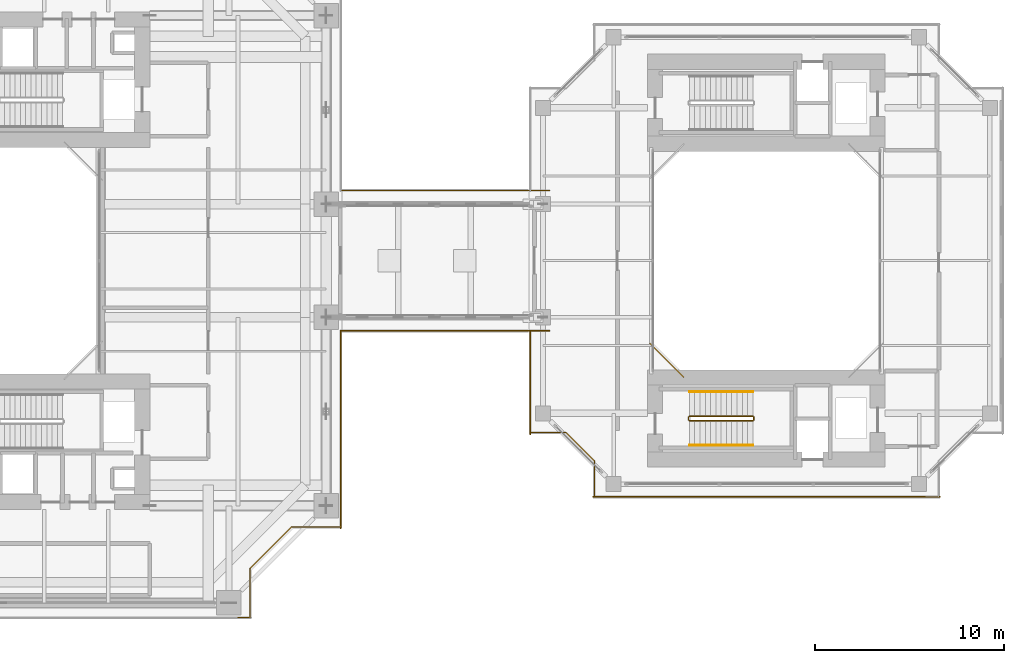
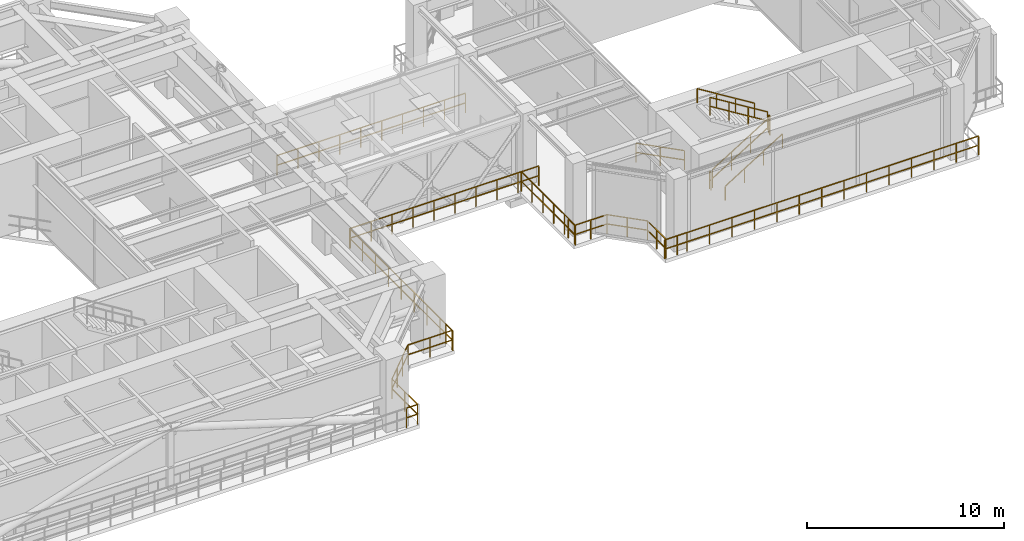
# One storey, part 23 of 25: 14 railings.
"""IFC4 building model written with IfcOpenShell, lengths in metres."""

import ifcopenshell
import ifcopenshell.guid

model = None  # the IFC model being written
_history = None  # IfcOwnerHistory: only IFC2X3 demands one
_inside = {}  # id of a spatial element -> (the spatial element, [elements in it])
_under = {}  # id of a project, library or spatial element -> (it, [spatial elements below it])
_declared = {}  # id of a project -> (the project, [libraries it declares])
_typed = {}  # id of a type object -> (the type object, [elements of that type])
_made_of = {}  # id of a material, layer set ... -> (it, [elements and type objects made of it])


def new_model(schema):
    """Start an empty IFC model of exactly this schema.

    Asked for "IFC4X3", IfcOpenShell would pick the latest addendum, in which some entities
    have other attributes; the version numbers below select the first issue.
    IFC2X3 requires an IfcOwnerHistory on every rooted entity: one is made here for all.
    """
    global model, _history
    if schema == "IFC4X3":
        model = ifcopenshell.file(schema_version=(4, 3, 0, 0))
    else:
        model = ifcopenshell.file(schema=schema)
    _inside.clear()
    _under.clear()
    _declared.clear()
    _typed.clear()
    _made_of.clear()
    _history = None
    if model.schema == "IFC2X3":
        org = make("IfcOrganization", Name="unknown")
        user = make(
            "IfcPersonAndOrganization",
            ThePerson=make("IfcPerson", FamilyName="unknown"),
            TheOrganization=org,
        )
        app = make(
            "IfcApplication",
            ApplicationDeveloper=org,
            Version="unknown",
            ApplicationFullName="unknown",
            ApplicationIdentifier="unknown",
        )
        _history = make(
            "IfcOwnerHistory",
            OwningUser=user,
            OwningApplication=app,
            ChangeAction="ADDED",
            CreationDate=0,
        )
    return model


def make(cls, **values):
    """One entity of the class cls with the attributes given. An attribute that is None is left unset."""
    return model.create_entity(
        cls, **{name: value for name, value in values.items() if value is not None}
    )


def rooted(cls, **values):
    """An entity with a GlobalId (a new one), such as an element, a storey or a relation."""
    return make(cls, GlobalId=ifcopenshell.guid.new(), OwnerHistory=_history, **values)


def si_unit(unit_type, name, prefix=None):
    """IfcSIUnit, for example si_unit("LENGTHUNIT", "METRE", prefix="MILLI")."""
    return make("IfcSIUnit", UnitType=unit_type, Prefix=prefix, Name=name)


def assignment(units):
    """IfcUnitAssignment: the units of a project."""
    return None if units is None else make("IfcUnitAssignment", Units=units)


def point(xyz):
    """IfcCartesianPoint."""
    return None if xyz is None else make("IfcCartesianPoint", Coordinates=xyz)


def direction(xyz):
    """IfcDirection."""
    return None if xyz is None else make("IfcDirection", DirectionRatios=xyz)


def frame(location, z_axis=None, x_axis=None):
    """IfcAxis2Placement3D, a coordinate frame: its origin and axes. An axis left out is left unset."""
    return make(
        "IfcAxis2Placement3D",
        Location=point(location),
        Axis=direction(z_axis),
        RefDirection=direction(x_axis),
    )


def frame_2d(location, x_axis=None):
    """IfcAxis2Placement2D, a coordinate frame in the plane: its origin and x axis."""
    return make(
        "IfcAxis2Placement2D", Location=point(location), RefDirection=direction(x_axis)
    )


def origin():
    """The frame at (0, 0, 0) with its axes left unset."""
    return frame((0.0, 0.0, 0.0))


def origin_2d():
    """The frame at (0, 0) in the plane with its x axis left unset."""
    return frame_2d((0.0, 0.0))


def place(relative_to, where):
    """IfcLocalPlacement: puts the frame where relative to a parent placement (None: the world)."""
    return make(
        "IfcLocalPlacement", PlacementRelTo=relative_to, RelativePlacement=where
    )


def context(
    kind, dimensions, precision=None, world=None, true_north=None, identifier=None
):
    """IfcGeometricRepresentationContext, for example the 3D "Model" context."""
    return make(
        "IfcGeometricRepresentationContext",
        ContextIdentifier=identifier,
        ContextType=kind,
        CoordinateSpaceDimension=dimensions,
        Precision=precision,
        WorldCoordinateSystem=world,
        TrueNorth=true_north,
    )


def subcontext(parent, identifier, kind, view, scale=None):
    """IfcGeometricRepresentationSubContext, for example "Body" below "Model"."""
    return make(
        "IfcGeometricRepresentationSubContext",
        ContextIdentifier=identifier,
        ContextType=kind,
        ParentContext=parent,
        TargetScale=scale,
        TargetView=view,
    )


def project(units=None, contexts=None):
    """IfcProject with its units and contexts."""
    return rooted(
        "IfcProject",
        Name="project",
        RepresentationContexts=contexts,
        UnitsInContext=assignment(units),
    )


def spatial(cls, under=None, at=None, **own):
    """A site, building, storey or space (cls), placed at a placement, below another one or the project."""
    s = rooted(cls, ObjectPlacement=at, **own)
    if under is not None:
        _under.setdefault(under.id(), (under, []))[1].append(s)
    return s


def profile(cls, at=None, kind="AREA", **sizes):
    """A parametric profile (cls). Its sizes go by their IFC names, for example OverallWidth=200.0."""
    return make(cls, ProfileType=kind, Position=at, **sizes)


def rectangle(**sizes):
    """IfcRectangleProfileDef."""
    return profile("IfcRectangleProfileDef", **sizes)


def extrude(swept, where, along, depth):
    """IfcExtrudedAreaSolid: the profile swept, set in the frame where, extruded along a direction by depth."""
    return make(
        "IfcExtrudedAreaSolid",
        SweptArea=swept,
        Position=where,
        ExtrudedDirection=direction(along),
        Depth=depth,
    )


def shape(context_of_items, identifier, shape_type, items):
    """IfcShapeRepresentation: the items that make up one representation, for example the "Body"."""
    return make(
        "IfcShapeRepresentation",
        ContextOfItems=context_of_items,
        RepresentationIdentifier=identifier,
        RepresentationType=shape_type,
        Items=items,
    )


def material(Name=None, Category=None):
    """IfcMaterial."""
    return make("IfcMaterial", Name=Name, Category=Category)


def made_of(thing, what):
    """Note that an element or type object is made of a material, layer set ...; save() writes the relation."""
    if what is not None:
        _made_of.setdefault(what.id(), (what, []))[1].append(thing)
    return thing


def type_object(cls, material=None, **own):
    """A type object (cls), such as IfcWallType, which elements share."""
    return made_of(rooted(cls, **own), material)


def element(
    cls,
    number,
    at=None,
    inside=None,
    cuts=None,
    type_object=None,
    material=None,
    context=None,
    identifier="Body",
    shape_type=None,
    held_by="IfcProductDefinitionShape",
    body=None,
    shapes=None,
    **own,
):
    """One element of the class cls, such as IfcWall. Its Tag is "e" and its number.

    at: its placement. inside: the storey or other place that contains it. cuts: it is an
    opening in that element (IfcRelVoidsElement). A single representation is given by context,
    identifier, shape_type and body (its items); several are given by shapes. held_by: the class
    of the entity that holds the representations. save() writes the other relations.
    """
    e = rooted(cls, Tag="e%d" % number, ObjectPlacement=at, **own)
    if body is not None:
        shapes = [shape(context, identifier, shape_type, body)]
    if shapes is not None:
        e.Representation = make(held_by, Representations=shapes)
    if inside is not None:
        _inside.setdefault(inside.id(), (inside, []))[1].append(e)
    if cuts is not None:
        rooted(
            "IfcRelVoidsElement", RelatingBuildingElement=cuts, RelatedOpeningElement=e
        )
    if type_object is not None:
        _typed.setdefault(type_object.id(), (type_object, []))[1].append(e)
    return made_of(e, material)


def aggregate(whole, parts):
    """IfcRelAggregates: a whole, such as a stair, and the parts it consists of."""
    return rooted("IfcRelAggregates", RelatingObject=whole, RelatedObjects=parts)


def save(model, path):
    """Write the relations noted so far, then the file.

    IfcRelAggregates (storeys below a building ...), IfcRelContainedInSpatialStructure (elements
    in a storey), IfcRelDefinesByType, IfcRelAssociatesMaterial and IfcRelDeclares: one each for
    every whole, place, type object, material and project.
    """
    for whole, parts in _under.values():
        aggregate(whole, parts)
    for where, things in _inside.values():
        rooted(
            "IfcRelContainedInSpatialStructure",
            RelatedElements=things,
            RelatingStructure=where,
        )
    for kind, things in _typed.values():
        rooted("IfcRelDefinesByType", RelatedObjects=things, RelatingType=kind)
    for what, things in _made_of.values():
        rooted("IfcRelAssociatesMaterial", RelatedObjects=things, RelatingMaterial=what)
    for by, libraries in _declared.values():
        rooted("IfcRelDeclares", RelatingContext=by, RelatedDefinitions=libraries)
    model.write(path)


model = new_model("IFC4")

# Units and contexts
model_context = context("Model", 3, precision=1e-05, world=origin(), true_north=direction((0.0, 1.0)))
body_context = subcontext(model_context, "Body", "Model", "MODEL_VIEW")
ifc_project = project(units=[si_unit("LENGTHUNIT", "METRE"), si_unit("AREAUNIT", "SQUARE_METRE"), si_unit("VOLUMEUNIT", "CUBIC_METRE"), si_unit("PLANEANGLEUNIT", "RADIAN"), si_unit("MASSUNIT", "GRAM", prefix="KILO"), si_unit("THERMODYNAMICTEMPERATUREUNIT", "KELVIN"), si_unit("POWERUNIT", "WATT")], contexts=[model_context])

# Site, building, storey
site_placement = place(None, origin())
site = spatial("IfcSite", under=ifc_project, at=site_placement, CompositionType="ELEMENT")
building_placement = place(site_placement, origin())
building = spatial("IfcBuilding", under=site, at=building_placement, Name="Qiaomeng Ring Towers", CompositionType="ELEMENT")
storey_placement = place(building_placement, frame((0.0, 0.0, 92.5)))
storey = spatial("IfcBuildingStorey", under=building, at=storey_placement, Name="L26", CompositionType="ELEMENT", Elevation=92.5)

# Railings
ifc_material_1 = material(Name="Low-E pale-green laminated safety glass", Category="glass")
railing_type_1 = type_object("IfcRailingType", Name="ARC-RL-BAL1", PredefinedType="BALUSTRADE", material=ifc_material_1)
railing_1_placement = place(storey_placement, frame((54.320068359375, 18.6201171875, 0.0)))
element("IfcRailing", 1, at=railing_1_placement, inside=storey, type_object=railing_type_1, Name="L26 Balustrade ARC-BAL-WELL2-L26-4", PredefinedType="BALUSTRADE", context=body_context, shape_type="SweptSolid", body=[
    extrude(rectangle(XDim=0.048095703125, YDim=0.048095703125, at=origin_2d()), frame((0.0, 0.0, 1.17578125), z_axis=(0.707106781187, -0.707106781187, 0.0), x_axis=(0.707106781187, 0.707106781187, 0.0)), (0.0, 0.0, 1.0), 2.545654296875),
    extrude(rectangle(XDim=0.048095703125, YDim=0.048095703125, at=origin_2d()), frame((0.0, 0.0, 0.60009765625), z_axis=(0.707106781187, -0.707106781187, 0.0), x_axis=(0.707106781187, 0.707106781187, 0.0)), (0.0, 0.0, 1.0), 2.545654296875),
    extrude(rectangle(XDim=0.0419921875, YDim=0.0419921875, at=origin_2d()), origin(), (0.0, 0.0, 1.0), 1.15185546875),
    extrude(rectangle(XDim=0.0419921875, YDim=0.0419921875, at=origin_2d()), frame((0.89990234375, -0.89990234375, 0.0)), (0.0, 0.0, 1.0), 1.15185546875),
    extrude(rectangle(XDim=0.0419921875, YDim=0.0419921875, at=origin_2d()), frame((1.800048828125, -1.800048828125, 0.0)), (0.0, 0.0, 1.0), 1.15185546875),
])
railing_2_placement = place(storey_placement, frame((47.97998046875, 14.530029296875, 0.0)))
element("IfcRailing", 2, at=railing_2_placement, inside=storey, type_object=railing_type_1, Name="L26 Balustrade ARC-BAL-NOTCH2-L26-SW", PredefinedType="BALUSTRADE", context=body_context, shape_type="SweptSolid", body=[
    extrude(rectangle(XDim=0.048095703125, YDim=0.048095703125, at=origin_2d()), frame((0.0, 0.0, 1.17578125), z_axis=(0.0, -1.0, 0.0), x_axis=(1.0, 0.0, 0.0)), (0.0, 0.0, 1.0), 0.650146484375),
    extrude(rectangle(XDim=0.048095703125, YDim=0.048095703125, at=origin_2d()), frame((0.0, 0.0, 0.60009765625), z_axis=(0.0, -1.0, 0.0), x_axis=(1.0, 0.0, 0.0)), (0.0, 0.0, 1.0), 0.650146484375),
    extrude(rectangle(XDim=0.048095703125, YDim=0.048095703125, at=origin_2d()), frame((0.0, -0.650146484375, 1.17578125), z_axis=(1.0, 0.0, 0.0), x_axis=(0.0, 1.0, 0.0)), (0.0, 0.0, 1.0), 1.89990234375),
    extrude(rectangle(XDim=0.048095703125, YDim=0.048095703125, at=origin_2d()), frame((0.0, -0.650146484375, 0.60009765625), z_axis=(1.0, 0.0, 0.0), x_axis=(0.0, 1.0, 0.0)), (0.0, 0.0, 1.0), 1.89990234375),
    extrude(rectangle(XDim=0.048095703125, YDim=0.048095703125, at=origin_2d()), frame((1.89990234375, -0.650146484375, 1.17578125), z_axis=(0.707106781187, -0.707106781187, 0.0), x_axis=(0.707106781187, 0.707106781187, 0.0)), (0.0, 0.0, 1.0), 2.121337890625),
    extrude(rectangle(XDim=0.048095703125, YDim=0.048095703125, at=origin_2d()), frame((1.89990234375, -0.650146484375, 0.60009765625), z_axis=(0.707106781187, -0.707106781187, 0.0), x_axis=(0.707106781187, 0.707106781187, 0.0)), (0.0, 0.0, 1.0), 2.121337890625),
    extrude(rectangle(XDim=0.048095703125, YDim=0.048095703125, at=origin_2d()), frame((3.39990234375, -2.150146484375, 1.17578125), z_axis=(0.0, -1.0, 0.0), x_axis=(1.0, 0.0, 0.0)), (0.0, 0.0, 1.0), 1.89990234375),
    extrude(rectangle(XDim=0.048095703125, YDim=0.048095703125, at=origin_2d()), frame((3.39990234375, -2.150146484375, 0.60009765625), z_axis=(0.0, -1.0, 0.0), x_axis=(1.0, 0.0, 0.0)), (0.0, 0.0, 1.0), 1.89990234375),
    extrude(rectangle(XDim=0.048095703125, YDim=0.048095703125, at=origin_2d()), frame((3.39990234375, -4.050048828125, 1.17578125), z_axis=(1.0, 0.0, 0.0), x_axis=(0.0, 1.0, 0.0)), (0.0, 0.0, 1.0), 0.650146484375),
    extrude(rectangle(XDim=0.048095703125, YDim=0.048095703125, at=origin_2d()), frame((3.39990234375, -4.050048828125, 0.60009765625), z_axis=(1.0, 0.0, 0.0), x_axis=(0.0, 1.0, 0.0)), (0.0, 0.0, 1.0), 0.650146484375),
    extrude(rectangle(XDim=0.0419921875, YDim=0.0419921875, at=origin_2d()), origin(), (0.0, 0.0, 1.0), 1.15185546875),
    extrude(rectangle(XDim=0.0419921875, YDim=0.0419921875, at=origin_2d()), frame((0.0, -0.650146484375, 0.0)), (0.0, 0.0, 1.0), 1.15185546875),
    extrude(rectangle(XDim=0.0419921875, YDim=0.0419921875, at=origin_2d()), frame((0.949951171875, -0.650146484375, 0.0)), (0.0, 0.0, 1.0), 1.15185546875),
    extrude(rectangle(XDim=0.0419921875, YDim=0.0419921875, at=origin_2d()), frame((1.89990234375, -0.650146484375, 0.0)), (0.0, 0.0, 1.0), 1.15185546875),
    extrude(rectangle(XDim=0.0419921875, YDim=0.0419921875, at=origin_2d()), frame((2.64990234375, -1.400146484375, 0.0)), (0.0, 0.0, 1.0), 1.15185546875),
    extrude(rectangle(XDim=0.0419921875, YDim=0.0419921875, at=origin_2d()), frame((3.39990234375, -2.150146484375, 0.0)), (0.0, 0.0, 1.0), 1.15185546875),
    extrude(rectangle(XDim=0.0419921875, YDim=0.0419921875, at=origin_2d()), frame((3.39990234375, -3.10009765625, 0.0)), (0.0, 0.0, 1.0), 1.15185546875),
    extrude(rectangle(XDim=0.0419921875, YDim=0.0419921875, at=origin_2d()), frame((3.39990234375, -4.050048828125, 0.0)), (0.0, 0.0, 1.0), 1.15185546875),
    extrude(rectangle(XDim=0.0419921875, YDim=0.0419921875, at=origin_2d()), frame((4.050048828125, -4.050048828125, 0.0)), (0.0, 0.0, 1.0), 1.15185546875),
])
railing_3_placement = place(storey_placement, frame((51.300048828125, 10.47998046875, 0.0)))
element("IfcRailing", 3, at=railing_3_placement, inside=storey, type_object=railing_type_1, Name="L26 Balustrade ARC-BAL-T2S-L26", PredefinedType="BALUSTRADE", context=body_context, shape_type="SweptSolid", body=[
    extrude(rectangle(XDim=0.048095703125, YDim=0.048095703125, at=origin_2d()), frame((0.0, 0.0, 1.17578125), z_axis=(1.0, 0.0, 0.0), x_axis=(0.0, 1.0, 0.0)), (0.0, 0.0, 1.0), 18.39990234375),
    extrude(rectangle(XDim=0.048095703125, YDim=0.048095703125, at=origin_2d()), frame((0.0, 0.0, 0.60009765625), z_axis=(1.0, 0.0, 0.0), x_axis=(0.0, 1.0, 0.0)), (0.0, 0.0, 1.0), 18.39990234375),
    extrude(rectangle(XDim=0.0419921875, YDim=0.0419921875, at=origin_2d()), origin(), (0.0, 0.0, 1.0), 1.15185546875),
    extrude(rectangle(XDim=0.0419921875, YDim=0.0419921875, at=origin_2d()), frame((1.314208984375, 0.0, 0.0)), (0.0, 0.0, 1.0), 1.15185546875),
    extrude(rectangle(XDim=0.0419921875, YDim=0.0419921875, at=origin_2d()), frame((2.628662109375, 0.0, 0.0)), (0.0, 0.0, 1.0), 1.15185546875),
    extrude(rectangle(XDim=0.0419921875, YDim=0.0419921875, at=origin_2d()), frame((3.94287109375, 0.0, 0.0)), (0.0, 0.0, 1.0), 1.15185546875),
    extrude(rectangle(XDim=0.0419921875, YDim=0.0419921875, at=origin_2d()), frame((5.257080078125, 0.0, 0.0)), (0.0, 0.0, 1.0), 1.15185546875),
    extrude(rectangle(XDim=0.0419921875, YDim=0.0419921875, at=origin_2d()), frame((6.5712890625, 0.0, 0.0)), (0.0, 0.0, 1.0), 1.15185546875),
    extrude(rectangle(XDim=0.0419921875, YDim=0.0419921875, at=origin_2d()), frame((7.8857421875, 0.0, 0.0)), (0.0, 0.0, 1.0), 1.15185546875),
    extrude(rectangle(XDim=0.0419921875, YDim=0.0419921875, at=origin_2d()), frame((9.199951171875, 0.0, 0.0)), (0.0, 0.0, 1.0), 1.15185546875),
    extrude(rectangle(XDim=0.0419921875, YDim=0.0419921875, at=origin_2d()), frame((10.51416015625, 0.0, 0.0)), (0.0, 0.0, 1.0), 1.15185546875),
    extrude(rectangle(XDim=0.0419921875, YDim=0.0419921875, at=origin_2d()), frame((11.82861328125, 0.0, 0.0)), (0.0, 0.0, 1.0), 1.15185546875),
    extrude(rectangle(XDim=0.0419921875, YDim=0.0419921875, at=origin_2d()), frame((13.142822265625, 0.0, 0.0)), (0.0, 0.0, 1.0), 1.15185546875),
    extrude(rectangle(XDim=0.0419921875, YDim=0.0419921875, at=origin_2d()), frame((14.45703125, 0.0, 0.0)), (0.0, 0.0, 1.0), 1.15185546875),
    extrude(rectangle(XDim=0.0419921875, YDim=0.0419921875, at=origin_2d()), frame((15.771240234375, 0.0, 0.0)), (0.0, 0.0, 1.0), 1.15185546875),
    extrude(rectangle(XDim=0.0419921875, YDim=0.0419921875, at=origin_2d()), frame((17.085693359375, 0.0, 0.0)), (0.0, 0.0, 1.0), 1.15185546875),
    extrude(rectangle(XDim=0.0419921875, YDim=0.0419921875, at=origin_2d()), frame((18.39990234375, 0.0, 0.0)), (0.0, 0.0, 1.0), 1.15185546875),
])
ifc_material_2 = material(Name="Stainless steel 316", Category="steel")
railing_type_2 = type_object("IfcRailingType", Name="ARC-RL-BAL2", PredefinedType="BALUSTRADE", material=ifc_material_2)
railing_4_placement = place(storey_placement, frame((32.469970703125, 4.080078125, 0.0)))
element("IfcRailing", 4, at=railing_4_placement, inside=storey, type_object=railing_type_2, Name="L26 Balustrade ARC-BAL-REF-CNR-L26-SE", PredefinedType="BALUSTRADE", context=body_context, shape_type="SweptSolid", body=[
    extrude(rectangle(XDim=0.048095703125, YDim=0.048095703125, at=origin_2d()), frame((0.0, 0.0, 1.22607421875), z_axis=(1.0, 0.0, 0.0), x_axis=(0.0, 1.0, 0.0)), (0.0, 0.0, 1.0), 0.650146484375),
    extrude(rectangle(XDim=0.048095703125, YDim=0.048095703125, at=origin_2d()), frame((0.0, 0.0, 0.625), z_axis=(1.0, 0.0, 0.0), x_axis=(0.0, 1.0, 0.0)), (0.0, 0.0, 1.0), 0.650146484375),
    extrude(rectangle(XDim=0.048095703125, YDim=0.048095703125, at=origin_2d()), frame((0.650146484375, 0.0, 1.22607421875), z_axis=(0.0, 1.0, 0.0), x_axis=(-1.0, 0.0, 0.0)), (0.0, 0.0, 1.0), 2.599853515625),
    extrude(rectangle(XDim=0.048095703125, YDim=0.048095703125, at=origin_2d()), frame((0.650146484375, 0.0, 0.625), z_axis=(0.0, 1.0, 0.0), x_axis=(-1.0, 0.0, 0.0)), (0.0, 0.0, 1.0), 2.599853515625),
    extrude(rectangle(XDim=0.048095703125, YDim=0.048095703125, at=origin_2d()), frame((0.650146484375, 2.599853515625, 1.22607421875), z_axis=(0.707106781187, 0.707106781187, 0.0), x_axis=(-0.707106781187, 0.707106781187, 0.0)), (0.0, 0.0, 1.0), 3.111083984375),
    extrude(rectangle(XDim=0.048095703125, YDim=0.048095703125, at=origin_2d()), frame((0.650146484375, 2.599853515625, 0.625), z_axis=(0.707106781187, 0.707106781187, 0.0), x_axis=(-0.707106781187, 0.707106781187, 0.0)), (0.0, 0.0, 1.0), 3.111083984375),
    extrude(rectangle(XDim=0.048095703125, YDim=0.048095703125, at=origin_2d()), frame((2.85009765625, 4.7998046875, 1.22607421875), z_axis=(1.0, 0.0, 0.0), x_axis=(0.0, 1.0, 0.0)), (0.0, 0.0, 1.0), 2.599853515625),
    extrude(rectangle(XDim=0.048095703125, YDim=0.048095703125, at=origin_2d()), frame((2.85009765625, 4.7998046875, 0.625), z_axis=(1.0, 0.0, 0.0), x_axis=(0.0, 1.0, 0.0)), (0.0, 0.0, 1.0), 2.599853515625),
    extrude(rectangle(XDim=0.048095703125, YDim=0.048095703125, at=origin_2d()), frame((5.449951171875, 4.7998046875, 1.22607421875), z_axis=(0.0, 1.0, 0.0), x_axis=(-1.0, 0.0, 0.0)), (0.0, 0.0, 1.0), 0.650146484375),
    extrude(rectangle(XDim=0.048095703125, YDim=0.048095703125, at=origin_2d()), frame((5.449951171875, 4.7998046875, 0.625), z_axis=(0.0, 1.0, 0.0), x_axis=(-1.0, 0.0, 0.0)), (0.0, 0.0, 1.0), 0.650146484375),
    extrude(rectangle(XDim=0.0419921875, YDim=0.0419921875, at=origin_2d()), origin(), (0.0, 0.0, 1.0), 1.201904296875),
    extrude(rectangle(XDim=0.0419921875, YDim=0.0419921875, at=origin_2d()), frame((0.650146484375, 0.0, 0.0)), (0.0, 0.0, 1.0), 1.201904296875),
    extrude(rectangle(XDim=0.0419921875, YDim=0.0419921875, at=origin_2d()), frame((0.650146484375, 1.2998046875, 0.0)), (0.0, 0.0, 1.0), 1.201904296875),
    extrude(rectangle(XDim=0.0419921875, YDim=0.0419921875, at=origin_2d()), frame((0.650146484375, 2.599853515625, 0.0)), (0.0, 0.0, 1.0), 1.201904296875),
    extrude(rectangle(XDim=0.0419921875, YDim=0.0419921875, at=origin_2d()), frame((1.383544921875, 3.333251953125, 0.0)), (0.0, 0.0, 1.0), 1.201904296875),
    extrude(rectangle(XDim=0.0419921875, YDim=0.0419921875, at=origin_2d()), frame((2.11669921875, 4.06640625, 0.0)), (0.0, 0.0, 1.0), 1.201904296875),
    extrude(rectangle(XDim=0.0419921875, YDim=0.0419921875, at=origin_2d()), frame((2.85009765625, 4.7998046875, 0.0)), (0.0, 0.0, 1.0), 1.201904296875),
    extrude(rectangle(XDim=0.0419921875, YDim=0.0419921875, at=origin_2d()), frame((4.14990234375, 4.7998046875, 0.0)), (0.0, 0.0, 1.0), 1.201904296875),
    extrude(rectangle(XDim=0.0419921875, YDim=0.0419921875, at=origin_2d()), frame((5.449951171875, 4.7998046875, 0.0)), (0.0, 0.0, 1.0), 1.201904296875),
    extrude(rectangle(XDim=0.0419921875, YDim=0.0419921875, at=origin_2d()), frame((5.449951171875, 5.449951171875, 0.0)), (0.0, 0.0, 1.0), 1.201904296875),
])
railing_5_placement = place(storey_placement, frame((37.919921875, 8.800048828125, 0.0)))
element("IfcRailing", 5, at=railing_5_placement, inside=storey, type_object=railing_type_2, Name="L26 Balustrade ARC-BAL-REF-ES-L26", PredefinedType="BALUSTRADE", context=body_context, shape_type="SweptSolid", body=[
    extrude(rectangle(XDim=0.048095703125, YDim=0.048095703125, at=origin_2d()), frame((0.0, 0.0, 1.22607421875), z_axis=(0.0, 1.0, 0.0), x_axis=(-1.0, 0.0, 0.0)), (0.0, 0.0, 1.0), 10.5),
    extrude(rectangle(XDim=0.048095703125, YDim=0.048095703125, at=origin_2d()), frame((0.0, 0.0, 0.625), z_axis=(0.0, 1.0, 0.0), x_axis=(-1.0, 0.0, 0.0)), (0.0, 0.0, 1.0), 10.5),
    extrude(rectangle(XDim=0.0419921875, YDim=0.0419921875, at=origin_2d()), origin(), (0.0, 0.0, 1.0), 1.201904296875),
    extrude(rectangle(XDim=0.0419921875, YDim=0.0419921875, at=origin_2d()), frame((0.0, 1.3125, 0.0)), (0.0, 0.0, 1.0), 1.201904296875),
    extrude(rectangle(XDim=0.0419921875, YDim=0.0419921875, at=origin_2d()), frame((0.0, 2.625, 0.0)), (0.0, 0.0, 1.0), 1.201904296875),
    extrude(rectangle(XDim=0.0419921875, YDim=0.0419921875, at=origin_2d()), frame((0.0, 3.9375, 0.0)), (0.0, 0.0, 1.0), 1.201904296875),
    extrude(rectangle(XDim=0.0419921875, YDim=0.0419921875, at=origin_2d()), frame((0.0, 5.25, 0.0)), (0.0, 0.0, 1.0), 1.201904296875),
    extrude(rectangle(XDim=0.0419921875, YDim=0.0419921875, at=origin_2d()), frame((0.0, 6.5625, 0.0)), (0.0, 0.0, 1.0), 1.201904296875),
    extrude(rectangle(XDim=0.0419921875, YDim=0.0419921875, at=origin_2d()), frame((0.0, 7.875, 0.0)), (0.0, 0.0, 1.0), 1.201904296875),
    extrude(rectangle(XDim=0.0419921875, YDim=0.0419921875, at=origin_2d()), frame((0.0, 9.1875, 0.0)), (0.0, 0.0, 1.0), 1.201904296875),
    extrude(rectangle(XDim=0.0419921875, YDim=0.0419921875, at=origin_2d()), frame((0.0, 10.5, 0.0)), (0.0, 0.0, 1.0), 1.201904296875),
])
railing_6_placement = place(storey_placement, frame((37.949951171875, 19.280029296875, 0.0)))
element("IfcRailing", 6, at=railing_6_placement, inside=storey, type_object=railing_type_2, Name="L26 Balustrade ARC-BAL-SB2-S", PredefinedType="BALUSTRADE", context=body_context, shape_type="SweptSolid", body=[
    extrude(rectangle(XDim=0.048095703125, YDim=0.048095703125, at=origin_2d()), frame((0.0, 0.0, 1.22607421875), z_axis=(1.0, 0.0, 0.0), x_axis=(0.0, 1.0, 0.0)), (0.0, 0.0, 1.0), 11.050048828125),
    extrude(rectangle(XDim=0.048095703125, YDim=0.048095703125, at=origin_2d()), frame((0.0, 0.0, 0.625), z_axis=(1.0, 0.0, 0.0), x_axis=(0.0, 1.0, 0.0)), (0.0, 0.0, 1.0), 11.050048828125),
    extrude(rectangle(XDim=0.0419921875, YDim=0.0419921875, at=origin_2d()), origin(), (0.0, 0.0, 1.0), 1.201904296875),
    extrude(rectangle(XDim=0.0419921875, YDim=0.0419921875, at=origin_2d()), frame((1.227783203125, 0.0, 0.0)), (0.0, 0.0, 1.0), 1.201904296875),
    extrude(rectangle(XDim=0.0419921875, YDim=0.0419921875, at=origin_2d()), frame((2.45556640625, 0.0, 0.0)), (0.0, 0.0, 1.0), 1.201904296875),
    extrude(rectangle(XDim=0.0419921875, YDim=0.0419921875, at=origin_2d()), frame((3.683349609375, 0.0, 0.0)), (0.0, 0.0, 1.0), 1.201904296875),
    extrude(rectangle(XDim=0.0419921875, YDim=0.0419921875, at=origin_2d()), frame((4.9111328125, 0.0, 0.0)), (0.0, 0.0, 1.0), 1.201904296875),
    extrude(rectangle(XDim=0.0419921875, YDim=0.0419921875, at=origin_2d()), frame((6.138916015625, 0.0, 0.0)), (0.0, 0.0, 1.0), 1.201904296875),
    extrude(rectangle(XDim=0.0419921875, YDim=0.0419921875, at=origin_2d()), frame((7.36669921875, 0.0, 0.0)), (0.0, 0.0, 1.0), 1.201904296875),
    extrude(rectangle(XDim=0.0419921875, YDim=0.0419921875, at=origin_2d()), frame((8.594482421875, 0.0, 0.0)), (0.0, 0.0, 1.0), 1.201904296875),
    extrude(rectangle(XDim=0.0419921875, YDim=0.0419921875, at=origin_2d()), frame((9.822265625, 0.0, 0.0)), (0.0, 0.0, 1.0), 1.201904296875),
    extrude(rectangle(XDim=0.0419921875, YDim=0.0419921875, at=origin_2d()), frame((11.050048828125, 0.0, 0.0)), (0.0, 0.0, 1.0), 1.201904296875),
])
railing_7_placement = place(storey_placement, frame((37.949951171875, 26.719970703125, 0.0)))
element("IfcRailing", 7, at=railing_7_placement, inside=storey, type_object=railing_type_2, Name="L26 Balustrade ARC-BAL-SB2-N", PredefinedType="BALUSTRADE", context=body_context, shape_type="SweptSolid", body=[
    extrude(rectangle(XDim=0.048095703125, YDim=0.048095703125, at=origin_2d()), frame((0.0, 0.0, 1.22607421875), z_axis=(1.0, 0.0, 0.0), x_axis=(0.0, 1.0, 0.0)), (0.0, 0.0, 1.0), 11.050048828125),
    extrude(rectangle(XDim=0.048095703125, YDim=0.048095703125, at=origin_2d()), frame((0.0, 0.0, 0.625), z_axis=(1.0, 0.0, 0.0), x_axis=(0.0, 1.0, 0.0)), (0.0, 0.0, 1.0), 11.050048828125),
    extrude(rectangle(XDim=0.0419921875, YDim=0.0419921875, at=origin_2d()), origin(), (0.0, 0.0, 1.0), 1.201904296875),
    extrude(rectangle(XDim=0.0419921875, YDim=0.0419921875, at=origin_2d()), frame((1.227783203125, 0.0, 0.0)), (0.0, 0.0, 1.0), 1.201904296875),
    extrude(rectangle(XDim=0.0419921875, YDim=0.0419921875, at=origin_2d()), frame((2.45556640625, 0.0, 0.0)), (0.0, 0.0, 1.0), 1.201904296875),
    extrude(rectangle(XDim=0.0419921875, YDim=0.0419921875, at=origin_2d()), frame((3.683349609375, 0.0, 0.0)), (0.0, 0.0, 1.0), 1.201904296875),
    extrude(rectangle(XDim=0.0419921875, YDim=0.0419921875, at=origin_2d()), frame((4.9111328125, 0.0, 0.0)), (0.0, 0.0, 1.0), 1.201904296875),
    extrude(rectangle(XDim=0.0419921875, YDim=0.0419921875, at=origin_2d()), frame((6.138916015625, 0.0, 0.0)), (0.0, 0.0, 1.0), 1.201904296875),
    extrude(rectangle(XDim=0.0419921875, YDim=0.0419921875, at=origin_2d()), frame((7.36669921875, 0.0, 0.0)), (0.0, 0.0, 1.0), 1.201904296875),
    extrude(rectangle(XDim=0.0419921875, YDim=0.0419921875, at=origin_2d()), frame((8.594482421875, 0.0, 0.0)), (0.0, 0.0, 1.0), 1.201904296875),
    extrude(rectangle(XDim=0.0419921875, YDim=0.0419921875, at=origin_2d()), frame((9.822265625, 0.0, 0.0)), (0.0, 0.0, 1.0), 1.201904296875),
    extrude(rectangle(XDim=0.0419921875, YDim=0.0419921875, at=origin_2d()), frame((11.050048828125, 0.0, 0.0)), (0.0, 0.0, 1.0), 1.201904296875),
])
railing_8_placement = place(storey_placement, frame((47.97998046875, 13.800048828125, 0.0)))
element("IfcRailing", 8, at=railing_8_placement, inside=storey, type_object=railing_type_2, Name="L26 Balustrade ARC-BAL-T2WS-L26", PredefinedType="BALUSTRADE", context=body_context, shape_type="SweptSolid", body=[
    extrude(rectangle(XDim=0.048095703125, YDim=0.048095703125, at=origin_2d()), frame((0.0, 0.0, 1.22607421875), z_axis=(0.0, 1.0, 0.0), x_axis=(-1.0, 0.0, 0.0)), (0.0, 0.0, 1.0), 5.5),
    extrude(rectangle(XDim=0.048095703125, YDim=0.048095703125, at=origin_2d()), frame((0.0, 0.0, 0.625), z_axis=(0.0, 1.0, 0.0), x_axis=(-1.0, 0.0, 0.0)), (0.0, 0.0, 1.0), 5.5),
    extrude(rectangle(XDim=0.0419921875, YDim=0.0419921875, at=origin_2d()), origin(), (0.0, 0.0, 1.0), 1.201904296875),
    extrude(rectangle(XDim=0.0419921875, YDim=0.0419921875, at=origin_2d()), frame((0.0, 1.10009765625, 0.0)), (0.0, 0.0, 1.0), 1.201904296875),
    extrude(rectangle(XDim=0.0419921875, YDim=0.0419921875, at=origin_2d()), frame((0.0, 2.199951171875, 0.0)), (0.0, 0.0, 1.0), 1.201904296875),
    extrude(rectangle(XDim=0.0419921875, YDim=0.0419921875, at=origin_2d()), frame((0.0, 3.300048828125, 0.0)), (0.0, 0.0, 1.0), 1.201904296875),
    extrude(rectangle(XDim=0.0419921875, YDim=0.0419921875, at=origin_2d()), frame((0.0, 4.39990234375, 0.0)), (0.0, 0.0, 1.0), 1.201904296875),
    extrude(rectangle(XDim=0.0419921875, YDim=0.0419921875, at=origin_2d()), frame((0.0, 5.5, 0.0)), (0.0, 0.0, 1.0), 1.201904296875),
])
ifc_material_3 = material(Name="Galvanised steel", Category="steel")
railing_type_3 = type_object("IfcRailingType", Name="ARC-RL-GUARD", PredefinedType="GUARDRAIL", material=ifc_material_3)
railing_9_placement = place(storey_placement, frame((56.419921875, 14.510009765625, 0.173095703125)))
element("IfcRailing", 9, at=railing_9_placement, inside=storey, type_object=railing_type_3, Name="L26 ST6 stair guard 1", PredefinedType="GUARDRAIL", context=body_context, shape_type="SweptSolid", body=[
    extrude(rectangle(XDim=0.048095703125, YDim=0.048095703125, at=origin_2d()), frame((0.0, 0.0, 1.1259765625), z_axis=(0.850623216509, 0.0, 0.525775754039), x_axis=(0.0, 1.0, 0.0)), (0.0, 0.0, 1.0), 3.9501953125),
    extrude(rectangle(XDim=0.048095703125, YDim=0.048095703125, at=origin_2d()), frame((0.0, 0.0, 0.574951171875), z_axis=(0.850623216509, 0.0, 0.525775754039), x_axis=(0.0, 1.0, 0.0)), (0.0, 0.0, 1.0), 3.9501953125),
    extrude(rectangle(XDim=0.0419921875, YDim=0.0419921875, at=origin_2d()), origin(), (0.0, 0.0, 1.0), 1.101806640625),
    extrude(rectangle(XDim=0.0419921875, YDim=0.0419921875, at=origin_2d()), frame((1.1201171875, 0.0, 0.6923828125)), (0.0, 0.0, 1.0), 1.101806640625),
    extrude(rectangle(XDim=0.0419921875, YDim=0.0419921875, at=origin_2d()), frame((2.239990234375, 0.0, 1.384521484375)), (0.0, 0.0, 1.0), 1.101806640625),
    extrude(rectangle(XDim=0.0419921875, YDim=0.0419921875, at=origin_2d()), frame((3.360107421875, 0.0, 2.076904296875)), (0.0, 0.0, 1.0), 1.101806640625),
])
railing_10_placement = place(storey_placement, frame((59.830078125, 14.56005859375, 2.25)))
element("IfcRailing", 10, at=railing_10_placement, inside=storey, type_object=railing_type_3, Name="L26 ST6 stair guard 2", PredefinedType="GUARDRAIL", context=body_context, shape_type="SweptSolid", body=[
    extrude(rectangle(XDim=0.048095703125, YDim=0.048095703125, at=origin_2d()), frame((0.0, 0.0, 1.1259765625), z_axis=(0.0, 1.0, 0.0), x_axis=(-1.0, 0.0, 0.0)), (0.0, 0.0, 1.0), 0.139892578125),
    extrude(rectangle(XDim=0.048095703125, YDim=0.048095703125, at=origin_2d()), frame((0.0, 0.0, 0.574951171875), z_axis=(0.0, 1.0, 0.0), x_axis=(-1.0, 0.0, 0.0)), (0.0, 0.0, 1.0), 0.139892578125),
    extrude(rectangle(XDim=0.0419921875, YDim=0.0419921875, at=origin_2d()), origin(), (0.0, 0.0, 1.0), 1.101806640625),
    extrude(rectangle(XDim=0.0419921875, YDim=0.0419921875, at=origin_2d()), frame((0.0, 0.139892578125, 0.0)), (0.0, 0.0, 1.0), 1.101806640625),
])
railing_11_placement = place(storey_placement, frame((59.780029296875, 14.75, 2.423095703125)))
element("IfcRailing", 11, at=railing_11_placement, inside=storey, type_object=railing_type_3, Name="L26 ST6 stair guard 3", PredefinedType="GUARDRAIL", context=body_context, shape_type="SweptSolid", body=[
    extrude(rectangle(XDim=0.048095703125, YDim=0.048095703125, at=origin_2d()), frame((0.0, 0.0, 1.1259765625), z_axis=(-0.850623216509, 0.0, 0.525775754039), x_axis=(0.0, -1.0, 0.0)), (0.0, 0.0, 1.0), 3.9501953125),
    extrude(rectangle(XDim=0.048095703125, YDim=0.048095703125, at=origin_2d()), frame((0.0, 0.0, 0.574951171875), z_axis=(-0.850623216509, 0.0, 0.525775754039), x_axis=(0.0, -1.0, 0.0)), (0.0, 0.0, 1.0), 3.9501953125),
    extrude(rectangle(XDim=0.0419921875, YDim=0.0419921875, at=origin_2d()), origin(), (0.0, 0.0, 1.0), 1.101806640625),
    extrude(rectangle(XDim=0.0419921875, YDim=0.0419921875, at=origin_2d()), frame((-1.1201171875, 0.0, 0.6923828125)), (0.0, 0.0, 1.0), 1.101806640625),
    extrude(rectangle(XDim=0.0419921875, YDim=0.0419921875, at=origin_2d()), frame((-2.239990234375, 0.0, 1.384521484375)), (0.0, 0.0, 1.0), 1.101806640625),
    extrude(rectangle(XDim=0.0419921875, YDim=0.0419921875, at=origin_2d()), frame((-3.360107421875, 0.0, 2.076904296875)), (0.0, 0.0, 1.0), 1.101806640625),
])
railing_12_placement = place(storey_placement, frame((56.3701171875, 14.56005859375, 0.0)))
element("IfcRailing", 12, at=railing_12_placement, inside=storey, type_object=railing_type_3, Name="L26 ST6 stair guard 4", PredefinedType="GUARDRAIL", context=body_context, shape_type="SweptSolid", body=[
    extrude(rectangle(XDim=0.048095703125, YDim=0.048095703125, at=origin_2d()), frame((0.0, 0.0, 1.1259765625), z_axis=(0.0, 1.0, 0.0), x_axis=(-1.0, 0.0, 0.0)), (0.0, 0.0, 1.0), 0.139892578125),
    extrude(rectangle(XDim=0.048095703125, YDim=0.048095703125, at=origin_2d()), frame((0.0, 0.0, 0.574951171875), z_axis=(0.0, 1.0, 0.0), x_axis=(-1.0, 0.0, 0.0)), (0.0, 0.0, 1.0), 0.139892578125),
    extrude(rectangle(XDim=0.0419921875, YDim=0.0419921875, at=origin_2d()), origin(), (0.0, 0.0, 1.0), 1.101806640625),
    extrude(rectangle(XDim=0.0419921875, YDim=0.0419921875, at=origin_2d()), frame((0.0, 0.139892578125, 0.0)), (0.0, 0.0, 1.0), 1.101806640625),
])
railing_type_4 = type_object("IfcRailingType", Name="ARC-RL-HAND", PredefinedType="HANDRAIL", material=ifc_material_2)
railing_13_placement = place(storey_placement, frame((56.419921875, 13.2099609375, 0.173095703125)))
element("IfcRailing", 13, at=railing_13_placement, inside=storey, type_object=railing_type_4, Name="L26 ST6 stair handrail 1", PredefinedType="HANDRAIL", context=body_context, shape_type="SweptSolid", body=[
    extrude(rectangle(XDim=0.048095703125, YDim=0.048095703125, at=origin_2d()), frame((0.0, 0.0, 0.8759765625), z_axis=(0.850623216509, 0.0, 0.525775754039), x_axis=(0.0, 1.0, 0.0)), (0.0, 0.0, 1.0), 3.9501953125),
    extrude(rectangle(XDim=0.0419921875, YDim=0.0419921875, at=origin_2d()), origin(), (0.0, 0.0, 1.0), 0.851806640625),
    extrude(rectangle(XDim=0.0419921875, YDim=0.0419921875, at=origin_2d()), frame((1.1201171875, 0.0, 0.6923828125)), (0.0, 0.0, 1.0), 0.851806640625),
    extrude(rectangle(XDim=0.0419921875, YDim=0.0419921875, at=origin_2d()), frame((2.239990234375, 0.0, 1.384521484375)), (0.0, 0.0, 1.0), 0.851806640625),
    extrude(rectangle(XDim=0.0419921875, YDim=0.0419921875, at=origin_2d()), frame((3.360107421875, 0.0, 2.076904296875)), (0.0, 0.0, 1.0), 0.851806640625),
])
railing_14_placement = place(storey_placement, frame((59.780029296875, 16.050048828125, 2.423095703125)))
element("IfcRailing", 14, at=railing_14_placement, inside=storey, type_object=railing_type_4, Name="L26 ST6 stair handrail 2", PredefinedType="HANDRAIL", context=body_context, shape_type="SweptSolid", body=[
    extrude(rectangle(XDim=0.048095703125, YDim=0.048095703125, at=origin_2d()), frame((0.0, 0.0, 0.8759765625), z_axis=(-0.850623216509, 0.0, 0.525775754039), x_axis=(0.0, -1.0, 0.0)), (0.0, 0.0, 1.0), 3.9501953125),
    extrude(rectangle(XDim=0.0419921875, YDim=0.0419921875, at=origin_2d()), origin(), (0.0, 0.0, 1.0), 0.851806640625),
    extrude(rectangle(XDim=0.0419921875, YDim=0.0419921875, at=origin_2d()), frame((-1.1201171875, 0.0, 0.6923828125)), (0.0, 0.0, 1.0), 0.851806640625),
    extrude(rectangle(XDim=0.0419921875, YDim=0.0419921875, at=origin_2d()), frame((-2.239990234375, 0.0, 1.384521484375)), (0.0, 0.0, 1.0), 0.851806640625),
    extrude(rectangle(XDim=0.0419921875, YDim=0.0419921875, at=origin_2d()), frame((-3.360107421875, 0.0, 2.076904296875)), (0.0, 0.0, 1.0), 0.851806640625),
])

save(model, "model.ifc")
